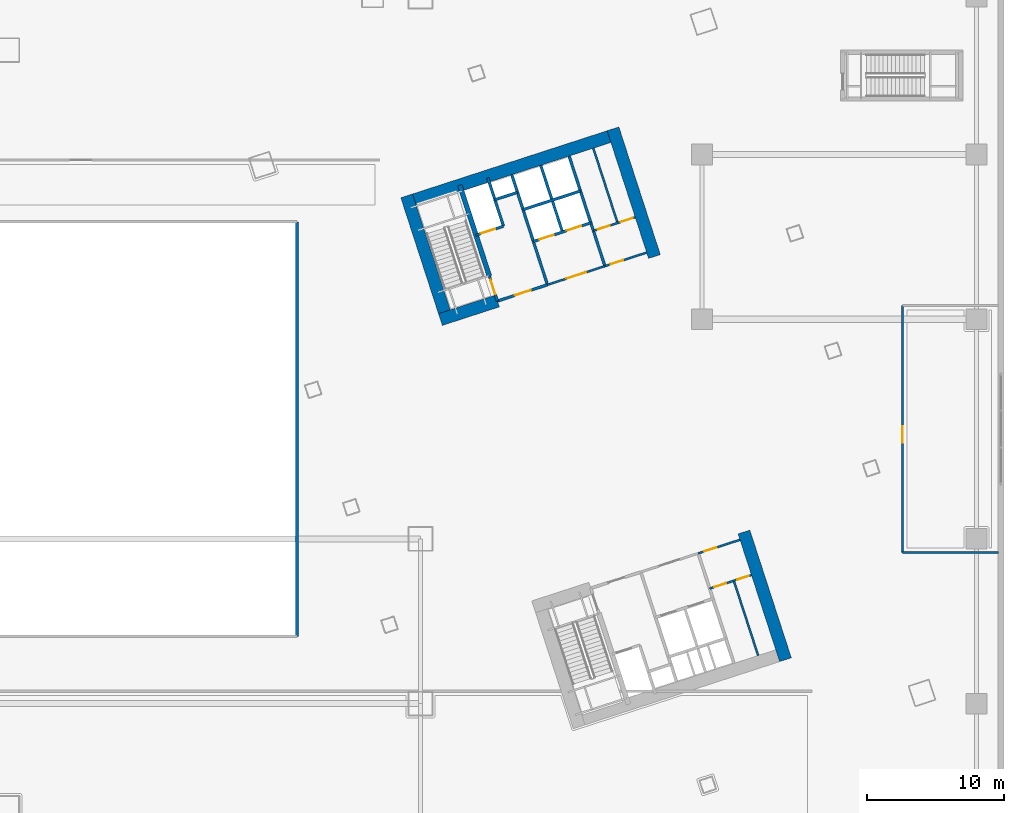
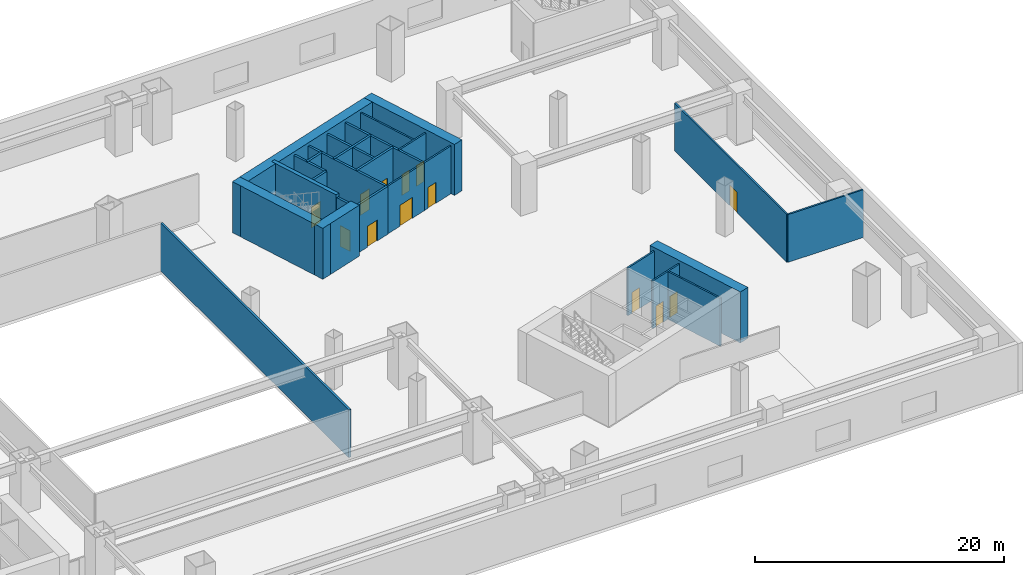
# One storey, part 27 of 35: 26 walls, 13 doors, 13 openings.
"""IFC4 building model written with IfcOpenShell, lengths in metres."""

from ifc_helpers import new_model, si_unit, direction, frame, frame_2d, origin, place, context, subcontext, project, spatial, rectangle, extrude, material, layer, layer_set, type_object, element, fill, save


model = new_model("IFC4")

# Units and contexts
model_context = context("Model", 3, precision=1e-05, world=origin(), true_north=direction((0.0, 1.0)))
body_context = subcontext(model_context, "Body", "Model", "MODEL_VIEW")
ifc_project = project(units=[si_unit("LENGTHUNIT", "METRE"), si_unit("AREAUNIT", "SQUARE_METRE"), si_unit("VOLUMEUNIT", "CUBIC_METRE"), si_unit("PLANEANGLEUNIT", "RADIAN"), si_unit("MASSUNIT", "GRAM", prefix="KILO")], contexts=[model_context])

# Site, building, storey
site_placement = place(None, origin())
site = spatial("IfcSite", under=ifc_project, at=site_placement, CompositionType="ELEMENT")
building_placement = place(site_placement, origin())
building = spatial("IfcBuilding", under=site, at=building_placement, Name="Qiaolan Cultural Towers", CompositionType="ELEMENT")
storey_placement = place(building_placement, frame((0.0, 0.0, 11.5)))
storey = spatial("IfcBuildingStorey", under=building, at=storey_placement, Name="L02", CompositionType="ELEMENT", Elevation=11.5)

# Walls
ifc_material_1 = material(Name="Concrete C50", Category="concrete")
ifc_layer_1 = layer(ifc_material_1, 0.35009765625)
ifc_layer_set_1 = layer_set([ifc_layer_1], Name="Concrete C50")
wall_type_1 = type_object("IfcWallType", Name="WL-CORE-350", PredefinedType="SHEAR", material=ifc_layer_set_1)
wall_1_placement = place(storey_placement, frame((82.513671875, 45.13134765625, 0.0), z_axis=(0.0, 0.0, 1.0), x_axis=(-0.308988790936, 0.951065679686, 0.0)))
element("IfcWall", 1, at=wall_1_placement, inside=storey, type_object=wall_type_1, Name="L02 T2-CN Stair Core Dividing Web", PredefinedType="SHEAR", context=body_context, shape_type="SweptSolid", body=[
    extrude(rectangle(XDim=6.97998046875, YDim=0.35009765625, at=frame_2d((3.489990234375, 0.0))), origin(), (0.0, 0.0, 1.0), 5.0),
])
ifc_material_2 = material(Name="Concrete C60", Category="concrete")
ifc_layer_2 = layer(ifc_material_2, 0.89990234375)
ifc_layer_set_2 = layer_set([ifc_layer_2], Name="Concrete C60")
wall_type_2 = type_object("IfcWallType", Name="WL-CORE-900", PredefinedType="SHEAR", material=ifc_layer_set_2)
wall_2_placement = place(storey_placement, frame((101.058837890625, 26.500244140625, 0.0), z_axis=(0.0, 0.0, 1.0), x_axis=(0.309021722829, -0.951054979914, 0.0)))
element("IfcWall", 2, at=wall_2_placement, inside=storey, type_object=wall_type_2, Name="L02 T2-CS East Core Shear Wall", PredefinedType="SHEAR", context=body_context, shape_type="SweptSolid", body=[
    extrude(rectangle(XDim=9.780029296875, YDim=0.89990234375, at=frame_2d((4.89013671875, 0.0))), origin(), (0.0, 0.0, 1.0), 5.0),
])
wall_3_placement = place(storey_placement, frame((76.20068359375, 50.41943359375, 0.0), z_axis=(0.0, 0.0, 1.0), x_axis=(0.951056412142, 0.309017314926, 0.0)))
element("IfcWall", 3, at=wall_3_placement, inside=storey, type_object=wall_type_2, Name="L02 T2-CN Outer Core Shear Wall", PredefinedType="SHEAR", context=body_context, shape_type="SweptSolid", body=[
    extrude(rectangle(XDim=16.7001953125, YDim=0.89990234375, at=frame_2d((8.35009765625, 0.0))), origin(), (0.0, 0.0, 1.0), 5.0),
])
for number, where, z_axis, x_axis, name in (
    (4, (79.511962890625, 41.68505859375, 0.0), (0.0, 0.0, 1.0), (-0.309021722829, 0.951054979914, 0.0), "L02 T2-CN West Core Shear Wall"),
    (5, (94.53857421875, 46.567626953125, 0.0), (0.0, 0.0, 1.0), (-0.309021722829, 0.951054979914, 0.0), "L02 T2-CN East Core Shear Wall"),
):
    element("IfcWall", number, at=place(storey_placement, frame(where, z_axis=z_axis, x_axis=x_axis)), inside=storey, type_object=wall_type_2, Name=name, PredefinedType="SHEAR", context=body_context, shape_type="SweptSolid", body=[
        extrude(rectangle(XDim=9.780029296875, YDim=0.89990234375, at=frame_2d((4.89013671875, 0.0))), origin(), (0.0, 0.0, 1.0), 5.0),
    ])
wall_4_placement = place(storey_placement, frame((78.94482421875, 41.97412109375, 0.0), z_axis=(0.0, 0.0, 1.0), x_axis=(0.951058289404, 0.309011537255, 0.0)))
element("IfcWall", 6, at=wall_4_placement, inside=storey, type_object=wall_type_2, Name="L02 T2-CN Stair Front Shear Wall", PredefinedType="SHEAR", context=body_context, shape_type="SweptSolid", body=[
    extrude(rectangle(XDim=4.369873046875, YDim=0.89990234375, at=frame_2d((2.18505859375, 0.0))), origin(), (0.0, 0.0, 1.0), 5.0),
])

# Wall, opening, door
ifc_material_3 = material(Name="Concrete C35 Fire Wall", Category="concrete")
ifc_layer_3 = layer(ifc_material_3, 0.199951171875)
ifc_layer_set_3 = layer_set([ifc_layer_3], Name="Concrete C35 Fire Wall")
wall_type_3 = type_object("IfcWallType", Name="WL-FIRE-200", PredefinedType="PARTITIONING", material=ifc_layer_set_3)
wall_5_placement = place(storey_placement, frame((83.100830078125, 43.324462890625, 0.0), z_axis=(0.0, 0.0, 1.0), x_axis=(-0.309048298632, 0.951046344356, 0.0)))
wall_5 = element("IfcWall", 7, at=wall_5_placement, inside=storey, type_object=wall_type_3, Name="L02 T2-CN Smokeproof Stair Entry Wall", PredefinedType="PARTITIONING", context=body_context, shape_type="SweptSolid", body=[
    extrude(rectangle(XDim=1.89990234375, YDim=0.199951171875, at=frame_2d((0.949951171875, 0.0))), origin(), (0.0, 0.0, 1.0), 4.68505859375),
])
opening_1_placement = place(wall_5_placement, frame((0.52001953125, 0.0, 0.0)))
opening_1 = element("IfcOpeningElement", 8, at=opening_1_placement, cuts=wall_5, Name="Opening FD-04", PredefinedType="OPENING", context=body_context, shape_type="SweptSolid", body=[
    extrude(rectangle(XDim=1.10009765625, YDim=2.050048828125, at=frame_2d((0.550048828125, 1.02490234375))), frame((0.0, 0.10986328125, 0.0), z_axis=(0.0, -1.0, 0.0), x_axis=(1.0, 0.0, 0.0)), (0.0, 0.0, 1.0), 0.219970703125),
])
ifc_material_4 = material(Name="Galvanized Steel Command Fire Door", Category="steel")
door_type_1 = type_object("IfcDoorType", Name="DR-FD90-1100", OperationType="NOTDEFINED", PredefinedType="DOOR", material=ifc_material_4)
door_1_placement = place(opening_1_placement, origin())
door_1 = element("IfcDoor", 9, at=door_1_placement, inside=storey, type_object=door_type_1, Name="L02 ST-E2 Smokeproof Stair Fire Door", OperationType="SINGLE_SWING_LEFT", OverallHeight=2.050048828125, OverallWidth=1.10009765625, PredefinedType="DOOR", context=body_context, shape_type="SweptSolid", body=[
    extrude(rectangle(XDim=1.10009765625, YDim=2.050048828125, at=frame_2d((0.550048828125, 1.02490234375))), frame((0.0, 0.02490234375, 0.0), z_axis=(0.0, -1.0, 0.0), x_axis=(1.0, 0.0, 0.0)), (0.0, 0.0, 1.0), 0.050048828125),
])
fill(opening_1, door_1)

# Wall
wall_6_placement = place(storey_placement, frame((86.743408203125, 44.508056640625, 0.0), z_axis=(0.0, 0.0, 1.0), x_axis=(-0.309016001439, 0.951056838919, 0.0)))
element("IfcWall", 10, at=wall_6_placement, inside=storey, type_object=wall_type_3, Name="L02 T2-CN Firefighting Zone Wall", PredefinedType="PARTITIONING", context=body_context, shape_type="SweptSolid", body=[
    extrude(rectangle(XDim=8.429931640625, YDim=0.199951171875, at=frame_2d((4.21484375, 0.0))), origin(), (0.0, 0.0, 1.0), 4.68505859375),
])

# Wall, opening, door
wall_7_placement = place(storey_placement, frame((83.100830078125, 43.324462890625, 0.0), z_axis=(0.0, 0.0, 1.0), x_axis=(0.951052804469, 0.309028417967, 0.0)))
wall_7 = element("IfcWall", 11, at=wall_7_placement, inside=storey, type_object=wall_type_3, Name="L02 T2-CN Firefighting Lobby Front Wall", PredefinedType="PARTITIONING", context=body_context, shape_type="SweptSolid", body=[
    extrude(rectangle(XDim=3.830078125, YDim=0.199951171875, at=frame_2d((1.9150390625, 0.0))), origin(), (0.0, 0.0, 1.0), 4.68505859375),
])
opening_2_placement = place(wall_7_placement, frame((1.35009765625, 0.0, 0.0)))
opening_2 = element("IfcOpeningElement", 12, at=opening_2_placement, cuts=wall_7, Name="Opening FD-03", PredefinedType="OPENING", context=body_context, shape_type="SweptSolid", body=[
    extrude(rectangle(XDim=1.199951171875, YDim=2.050048828125, at=frame_2d((0.60009765625, 1.02490234375))), frame((0.0, 0.10986328125, 0.0), z_axis=(0.0, -1.0, 0.0), x_axis=(1.0, 0.0, 0.0)), (0.0, 0.0, 1.0), 0.219970703125),
])
ifc_material_5 = material(Name="Galvanized Steel Smokeproof Lobby Fire Door", Category="steel")
door_type_2 = type_object("IfcDoorType", Name="DR-FD90-1200", OperationType="NOTDEFINED", PredefinedType="DOOR", material=ifc_material_5)
door_2_placement = place(opening_2_placement, origin())
door_2 = element("IfcDoor", 13, at=door_2_placement, inside=storey, type_object=door_type_2, Name="L02 FFL-E2 Firefighting Lobby Fire Door", OperationType="SINGLE_SWING_LEFT", OverallHeight=2.050048828125, OverallWidth=1.199951171875, PredefinedType="DOOR", context=body_context, shape_type="SweptSolid", body=[
    extrude(rectangle(XDim=1.199951171875, YDim=2.050048828125, at=frame_2d((0.60009765625, 1.02490234375))), frame((0.0, 0.02490234375, 0.0), z_axis=(0.0, -1.0, 0.0), x_axis=(1.0, 0.0, 0.0)), (0.0, 0.0, 1.0), 0.050048828125),
])
fill(opening_2, door_2)

wall_8_placement = place(storey_placement, frame((81.540283203125, 48.127197265625, 0.0), z_axis=(0.0, 0.0, 1.0), x_axis=(0.951062257173, 0.308999325213, 0.0)))
wall_8 = element("IfcWall", 14, at=wall_8_placement, inside=storey, type_object=wall_type_3, Name="L02 T2-CN Firefighting Shaft Front Wall", PredefinedType="PARTITIONING", context=body_context, shape_type="SweptSolid", body=[
    extrude(rectangle(XDim=2.10009765625, YDim=0.199951171875, at=frame_2d((1.050048828125, 0.0))), origin(), (0.0, 0.0, 1.0), 4.68505859375),
])
opening_3_placement = place(wall_8_placement, frame((0.35009765625, 0.0, 0.0)))
opening_3 = element("IfcOpeningElement", 15, at=opening_3_placement, cuts=wall_8, Name="Opening LD-01", PredefinedType="OPENING", context=body_context, shape_type="SweptSolid", body=[
    extrude(rectangle(XDim=1.10009765625, YDim=2.050048828125, at=frame_2d((0.550048828125, 1.02490234375))), frame((0.0, 0.10986328125, 0.0), z_axis=(0.0, -1.0, 0.0), x_axis=(1.0, 0.0, 0.0)), (0.0, 0.0, 1.0), 0.219970703125),
])
ifc_material_6 = material(Name="Brushed Stainless Steel S30408 Centre-Parting Lift Landing Door", Category="steel")
door_type_3 = type_object("IfcDoorType", Name="DR-LIFT-1100", OperationType="NOTDEFINED", PredefinedType="DOOR", material=ifc_material_6)
door_3_placement = place(opening_3_placement, origin())
door_3 = element("IfcDoor", 16, at=door_3_placement, inside=storey, type_object=door_type_3, Name="L02 FFL-E2 Firefighting Lift Landing Door", OperationType="DOUBLE_DOOR_SLIDING", OverallHeight=2.050048828125, OverallWidth=1.10009765625, PredefinedType="DOOR", context=body_context, shape_type="SweptSolid", body=[
    extrude(rectangle(XDim=1.10009765625, YDim=2.050048828125, at=frame_2d((0.550048828125, 1.02490234375))), frame((0.0, 0.02490234375, 0.0), z_axis=(0.0, -1.0, 0.0), x_axis=(1.0, 0.0, 0.0)), (0.0, 0.0, 1.0), 0.050048828125),
])
fill(opening_3, door_3)

# Walls
wall_9_placement = place(storey_placement, frame((83.53759765625, 48.776123046875, 0.0), z_axis=(0.0, 0.0, 1.0), x_axis=(-0.3089935693, 0.951064127245, 0.0)))
element("IfcWall", 17, at=wall_9_placement, inside=storey, type_object=wall_type_3, Name="L02 T2-CN Firefighting Hoistway East Wall", PredefinedType="PARTITIONING", context=body_context, shape_type="SweptSolid", body=[
    extrude(rectangle(XDim=3.7001953125, YDim=0.199951171875, at=frame_2d((1.85009765625, 0.0))), origin(), (0.0, 0.0, 1.0), 4.68505859375),
])
wall_10_placement = place(storey_placement, frame((82.910400390625, 50.706787109375, 0.0), z_axis=(0.0, 0.0, 1.0), x_axis=(0.951041328149, 0.309063734775, 0.0)))
element("IfcWall", 18, at=wall_10_placement, inside=storey, type_object=wall_type_3, Name="L02 T2-CN Pressurization Shaft Front Wall", PredefinedType="PARTITIONING", context=body_context, shape_type="SweptSolid", body=[
    extrude(rectangle(XDim=1.72998046875, YDim=0.199951171875, at=frame_2d((0.864990234375, 0.0))), origin(), (0.0, 0.0, 1.0), 4.68505859375),
])
wall_11_placement = place(storey_placement, frame((90.92822265625, 45.86767578125, 0.0), z_axis=(0.0, 0.0, 1.0), x_axis=(-0.309042196757, 0.951048327176, 0.0)))
element("IfcWall", 19, at=wall_11_placement, inside=storey, type_object=wall_type_3, Name="L02 T2-CN Lift Core East Wall", PredefinedType="PARTITIONING", context=body_context, shape_type="SweptSolid", body=[
    extrude(rectangle(XDim=8.429931640625, YDim=0.199951171875, at=frame_2d((4.21484375, 0.0))), origin(), (0.0, 0.0, 1.0), 4.68505859375),
])

# Wall, openings, doors
wall_12_placement = place(storey_placement, frame((85.717529296875, 47.66552734375, 0.0), z_axis=(0.0, 0.0, 1.0), x_axis=(0.951058531764, 0.30901079133, 0.0)))
wall_12 = element("IfcWall", 20, at=wall_12_placement, inside=storey, type_object=wall_type_3, Name="L02 T2-CN Passenger Lift Shaft Front Wall", PredefinedType="PARTITIONING", context=body_context, shape_type="SweptSolid", body=[
    extrude(rectangle(XDim=4.39990234375, YDim=0.199951171875, at=frame_2d((2.199951171875, 0.0))), origin(), (0.0, 0.0, 1.0), 4.68505859375),
])
opening_4_placement = place(wall_12_placement, frame((0.449951171875, 0.0, 0.0)))
opening_4 = element("IfcOpeningElement", 21, at=opening_4_placement, cuts=wall_12, Name="Opening LD-01", PredefinedType="OPENING", context=body_context, shape_type="SweptSolid", body=[
    extrude(rectangle(XDim=1.10009765625, YDim=2.050048828125, at=frame_2d((0.550048828125, 1.02490234375))), frame((0.0, 0.10986328125, 0.0), z_axis=(0.0, -1.0, 0.0), x_axis=(1.0, 0.0, 0.0)), (0.0, 0.0, 1.0), 0.219970703125),
])
opening_5_placement = place(wall_12_placement, frame((2.550048828125, 0.0, 0.0)))
opening_5 = element("IfcOpeningElement", 22, at=opening_5_placement, cuts=wall_12, Name="Opening LD-01", PredefinedType="OPENING", context=body_context, shape_type="SweptSolid", body=[
    extrude(rectangle(XDim=1.10009765625, YDim=2.050048828125, at=frame_2d((0.550048828125, 1.02490234375))), frame((0.0, 0.10986328125, 0.0), z_axis=(0.0, -1.0, 0.0), x_axis=(1.0, 0.0, 0.0)), (0.0, 0.0, 1.0), 0.219970703125),
])
door_4_placement = place(opening_4_placement, origin())
door_4 = element("IfcDoor", 23, at=door_4_placement, inside=storey, type_object=door_type_3, Name="L02 Passenger Lift 1 Landing Door", OperationType="DOUBLE_DOOR_SLIDING", OverallHeight=2.050048828125, OverallWidth=1.10009765625, PredefinedType="DOOR", context=body_context, shape_type="SweptSolid", body=[
    extrude(rectangle(XDim=1.10009765625, YDim=2.050048828125, at=frame_2d((0.550048828125, 1.02490234375))), frame((0.0, 0.02490234375, 0.0), z_axis=(0.0, -1.0, 0.0), x_axis=(1.0, 0.0, 0.0)), (0.0, 0.0, 1.0), 0.050048828125),
])
fill(opening_4, door_4)
door_5_placement = place(opening_5_placement, origin())
door_5 = element("IfcDoor", 24, at=door_5_placement, inside=storey, type_object=door_type_3, Name="L02 Passenger Lift 2 Landing Door", OperationType="DOUBLE_DOOR_SLIDING", OverallHeight=2.050048828125, OverallWidth=1.10009765625, PredefinedType="DOOR", context=body_context, shape_type="SweptSolid", body=[
    extrude(rectangle(XDim=1.10009765625, YDim=2.050048828125, at=frame_2d((0.550048828125, 1.02490234375))), frame((0.0, 0.02490234375, 0.0), z_axis=(0.0, -1.0, 0.0), x_axis=(1.0, 0.0, 0.0)), (0.0, 0.0, 1.0), 0.050048828125),
])
fill(opening_5, door_5)

# Walls
wall_13_placement = place(storey_placement, frame((87.83837890625, 48.3544921875, 0.0), z_axis=(0.0, 0.0, 1.0), x_axis=(-0.3090093719, 0.951058992953, 0.0)))
element("IfcWall", 25, at=wall_13_placement, inside=storey, type_object=wall_type_3, Name="L02 T2-CN Lift Shaft Divider Wall", PredefinedType="PARTITIONING", context=body_context, shape_type="SweptSolid", body=[
    extrude(rectangle(XDim=5.110107421875, YDim=0.199951171875, at=frame_2d((2.55517578125, 0.0))), origin(), (0.0, 0.0, 1.0), 4.68505859375),
])
wall_14_placement = place(storey_placement, frame((84.966552734375, 49.9765625, 0.0), z_axis=(0.0, 0.0, 1.0), x_axis=(0.951063829732, 0.308994485023, 0.0)))
element("IfcWall", 26, at=wall_14_placement, inside=storey, type_object=wall_type_3, Name="L02 T2-CN Passenger Lift Shaft Back Wall", PredefinedType="PARTITIONING", context=body_context, shape_type="SweptSolid", body=[
    extrude(rectangle(XDim=4.400146484375, YDim=0.199951171875, at=frame_2d((2.2001953125, 0.0))), origin(), (0.0, 0.0, 1.0), 4.68505859375),
])
wall_15_placement = place(storey_placement, frame((68.5, 18.89990234375, 0.0), z_axis=(0.0, 0.0, 1.0), x_axis=(0.0, 1.0, 0.0)))
element("IfcWall", 27, at=wall_15_placement, inside=storey, type_object=wall_type_3, Name="L02 Podium Partition L02-AUDE", PredefinedType="PARTITIONING", context=body_context, shape_type="SweptSolid", body=[
    extrude(rectangle(XDim=30.2001953125, YDim=0.199951171875, at=frame_2d((15.10009765625, 0.0))), origin(), (0.0, 0.0, 1.0), 4.68505859375),
])

# Wall, opening, door
ifc_material_7 = material(Name="Autoclaved Aerated Concrete Block B06", Category="concrete")
ifc_layer_4 = layer(ifc_material_7, 0.14990234375)
ifc_layer_set_4 = layer_set([ifc_layer_4], Name="Autoclaved Aerated Concrete Block B06")
wall_type_4 = type_object("IfcWallType", Name="WL-PART-150", PredefinedType="PARTITIONING", material=ifc_layer_set_4)
wall_16_placement = place(storey_placement, frame((97.7265625, 24.9443359375, 0.0), z_axis=(0.0, 0.0, 1.0), x_axis=(0.951036872128, 0.309077446369, 0.0)))
wall_16 = element("IfcWall", 28, at=wall_16_placement, inside=storey, type_object=wall_type_4, Name="L02 T2-CS Sanitary Core Front Wall", PredefinedType="PARTITIONING", context=body_context, shape_type="SweptSolid", body=[
    extrude(rectangle(XDim=3.199951171875, YDim=0.14990234375, at=frame_2d((1.60009765625, 0.0))), origin(), (0.0, 0.0, 1.0), 4.68505859375),
])
opening_6_placement = place(wall_16_placement, frame((0.449951171875, 0.0, 0.0)))
opening_6 = element("IfcOpeningElement", 29, at=opening_6_placement, cuts=wall_16, Name="Opening ID-05", PredefinedType="OPENING", context=body_context, shape_type="SweptSolid", body=[
    extrude(rectangle(XDim=0.949951171875, YDim=2.050048828125, at=frame_2d((0.47509765625, 1.02490234375))), frame((0.0, 0.0849609375, 0.0), z_axis=(0.0, -1.0, 0.0), x_axis=(1.0, 0.0, 0.0)), (0.0, 0.0, 1.0), 0.169921875),
])
ifc_material_8 = material(Name="Fire-Rated Laminate Accessible Core Door", Category="timber")
door_type_4 = type_object("IfcDoorType", Name="DR-INT-950", OperationType="NOTDEFINED", PredefinedType="DOOR", material=ifc_material_8)
door_6_placement = place(opening_6_placement, origin())
door_6 = element("IfcDoor", 30, at=door_6_placement, inside=storey, type_object=door_type_4, Name="L02 Sanitary Vestibule Door", OperationType="SINGLE_SWING_LEFT", OverallHeight=2.050048828125, OverallWidth=0.949951171875, PredefinedType="DOOR", context=body_context, shape_type="SweptSolid", body=[
    extrude(rectangle(XDim=0.949951171875, YDim=2.050048828125, at=frame_2d((0.47509765625, 1.02490234375))), frame((0.0, 0.02490234375, 0.0), z_axis=(0.0, -1.0, 0.0), x_axis=(1.0, 0.0, 0.0)), (0.0, 0.0, 1.0), 0.050048828125),
])
fill(opening_6, door_6)

# Wall, openings, doors
wall_17_placement = place(storey_placement, frame((98.560791015625, 22.37646484375, 0.0), z_axis=(0.0, 0.0, 1.0), x_axis=(0.95104415986, 0.309055020985, 0.0)))
wall_17 = element("IfcWall", 31, at=wall_17_placement, inside=storey, type_object=wall_type_4, Name="L02 T2-CS Restroom Vestibule Wall", PredefinedType="PARTITIONING", context=body_context, shape_type="SweptSolid", body=[
    extrude(rectangle(XDim=3.2001953125, YDim=0.14990234375, at=frame_2d((1.60009765625, 0.0))), origin(), (0.0, 0.0, 1.0), 4.68505859375),
])
opening_7_placement = place(wall_17_placement, frame((0.35009765625, 0.0, 0.0)))
opening_7 = element("IfcOpeningElement", 32, at=opening_7_placement, cuts=wall_17, Name="Opening ID-06", PredefinedType="OPENING", context=body_context, shape_type="SweptSolid", body=[
    extrude(rectangle(XDim=0.89990234375, YDim=2.050048828125, at=frame_2d((0.449951171875, 1.02490234375))), frame((0.0, 0.0849609375, 0.0), z_axis=(0.0, -1.0, 0.0), x_axis=(1.0, 0.0, 0.0)), (0.0, 0.0, 1.0), 0.169921875),
])
opening_8_placement = place(wall_17_placement, frame((2.10009765625, 0.0, 0.0)))
opening_8 = element("IfcOpeningElement", 33, at=opening_8_placement, cuts=wall_17, Name="Opening ID-06", PredefinedType="OPENING", context=body_context, shape_type="SweptSolid", body=[
    extrude(rectangle(XDim=0.89990234375, YDim=2.050048828125, at=frame_2d((0.449951171875, 1.02490234375))), frame((0.0, 0.0849609375, 0.0), z_axis=(0.0, -1.0, 0.0), x_axis=(1.0, 0.0, 0.0)), (0.0, 0.0, 1.0), 0.169921875),
])
ifc_material_9 = material(Name="Fire-Rated Laminate Core Service Door", Category="timber")
door_type_5 = type_object("IfcDoorType", Name="DR-INT-900", OperationType="NOTDEFINED", PredefinedType="DOOR", material=ifc_material_9)
door_7_placement = place(opening_7_placement, origin())
door_7 = element("IfcDoor", 34, at=door_7_placement, inside=storey, type_object=door_type_5, Name="L02 Men Restroom Door", OperationType="SINGLE_SWING_LEFT", OverallHeight=2.050048828125, OverallWidth=0.89990234375, PredefinedType="DOOR", context=body_context, shape_type="SweptSolid", body=[
    extrude(rectangle(XDim=0.89990234375, YDim=2.050048828125, at=frame_2d((0.449951171875, 1.02490234375))), frame((0.0, 0.02490234375, 0.0), z_axis=(0.0, -1.0, 0.0), x_axis=(1.0, 0.0, 0.0)), (0.0, 0.0, 1.0), 0.050048828125),
])
fill(opening_7, door_7)
door_8_placement = place(opening_8_placement, origin())
door_8 = element("IfcDoor", 35, at=door_8_placement, inside=storey, type_object=door_type_5, Name="L02 Accessible & Women Restroom Door", OperationType="SINGLE_SWING_RIGHT", OverallHeight=2.050048828125, OverallWidth=0.89990234375, PredefinedType="DOOR", context=body_context, shape_type="SweptSolid", body=[
    extrude(rectangle(XDim=0.89990234375, YDim=2.050048828125, at=frame_2d((0.449951171875, 1.02490234375))), frame((0.0, 0.02490234375, 0.0), z_axis=(0.0, -1.0, 0.0), x_axis=(1.0, 0.0, 0.0)), (0.0, 0.0, 1.0), 0.050048828125),
])
fill(opening_8, door_8)

# Wall
wall_18_placement = place(storey_placement, frame((100.3203125, 22.9482421875, 0.0), z_axis=(0.0, 0.0, 1.0), x_axis=(0.309035009867, -0.951050662518, 0.0)))
element("IfcWall", 36, at=wall_18_placement, inside=storey, type_object=wall_type_4, Name="L02 T2-CS Restroom Divider Wall", PredefinedType="PARTITIONING", context=body_context, shape_type="SweptSolid", body=[
    extrude(rectangle(XDim=5.72998046875, YDim=0.14990234375, at=frame_2d((2.864990234375, 0.0))), origin(), (0.0, 0.0, 1.0), 4.68505859375),
])

# Wall, opening, door
wall_19_placement = place(storey_placement, frame((86.743408203125, 44.508056640625, 0.0), z_axis=(0.0, 0.0, 1.0), x_axis=(0.951063829732, 0.308994485023, 0.0)))
wall_19 = element("IfcWall", 37, at=wall_19_placement, inside=storey, type_object=wall_type_4, Name="L02 T2-CN Passenger Lift Lobby Front Wall", PredefinedType="PARTITIONING", context=body_context, shape_type="SweptSolid", body=[
    extrude(rectangle(XDim=4.400146484375, YDim=0.14990234375, at=frame_2d((2.2001953125, 0.0))), origin(), (0.0, 0.0, 1.0), 4.68505859375),
])
opening_9_placement = place(wall_19_placement, frame((1.449951171875, 0.0, 0.0)))
opening_9 = element("IfcOpeningElement", 38, at=opening_9_placement, cuts=wall_19, Name="Opening FD-05", PredefinedType="OPENING", context=body_context, shape_type="SweptSolid", body=[
    extrude(rectangle(XDim=1.5, YDim=2.050048828125, at=frame_2d((0.75, 1.02490234375))), frame((0.0, 0.0849609375, 0.0), z_axis=(0.0, -1.0, 0.0), x_axis=(1.0, 0.0, 0.0)), (0.0, 0.0, 1.0), 0.169921875),
])
ifc_material_10 = material(Name="Painted Steel Lift Lobby Fire Door", Category="steel")
door_type_6 = type_object("IfcDoorType", Name="DR-FD60-1500", OperationType="NOTDEFINED", PredefinedType="DOOR", material=ifc_material_10)
door_9_placement = place(opening_9_placement, origin())
door_9 = element("IfcDoor", 39, at=door_9_placement, inside=storey, type_object=door_type_6, Name="L02 Passenger Lift Lobby Entrance", OperationType="SINGLE_SWING_LEFT", OverallHeight=2.050048828125, OverallWidth=1.5, PredefinedType="DOOR", context=body_context, shape_type="SweptSolid", body=[
    extrude(rectangle(XDim=1.5, YDim=2.050048828125, at=frame_2d((0.75, 1.02490234375))), frame((0.0, 0.02490234375, 0.0), z_axis=(0.0, -1.0, 0.0), x_axis=(1.0, 0.0, 0.0)), (0.0, 0.0, 1.0), 0.050048828125),
])
fill(opening_9, door_9)

wall_20_placement = place(storey_placement, frame((90.92822265625, 45.86767578125, 0.0), z_axis=(0.0, 0.0, 1.0), x_axis=(0.951059297078, 0.309008435874, 0.0)))
wall_20 = element("IfcWall", 40, at=wall_20_placement, inside=storey, type_object=wall_type_4, Name="L02 T2-CN Sanitary Core Front Wall", PredefinedType="PARTITIONING", context=body_context, shape_type="SweptSolid", body=[
    extrude(rectangle(XDim=3.19970703125, YDim=0.14990234375, at=frame_2d((1.599853515625, 0.0))), origin(), (0.0, 0.0, 1.0), 4.68505859375),
])
opening_10_placement = place(wall_20_placement, frame((0.449951171875, 0.0, 0.0)))
opening_10 = element("IfcOpeningElement", 41, at=opening_10_placement, cuts=wall_20, Name="Opening ID-05", PredefinedType="OPENING", context=body_context, shape_type="SweptSolid", body=[
    extrude(rectangle(XDim=0.949951171875, YDim=2.050048828125, at=frame_2d((0.47509765625, 1.02490234375))), frame((0.0, 0.0849609375, 0.0), z_axis=(0.0, -1.0, 0.0), x_axis=(1.0, 0.0, 0.0)), (0.0, 0.0, 1.0), 0.169921875),
])
door_10_placement = place(opening_10_placement, origin())
door_10 = element("IfcDoor", 42, at=door_10_placement, inside=storey, type_object=door_type_4, Name="L02 Sanitary Vestibule Door", OperationType="SINGLE_SWING_LEFT", OverallHeight=2.050048828125, OverallWidth=0.949951171875, PredefinedType="DOOR", context=body_context, shape_type="SweptSolid", body=[
    extrude(rectangle(XDim=0.949951171875, YDim=2.050048828125, at=frame_2d((0.47509765625, 1.02490234375))), frame((0.0, 0.02490234375, 0.0), z_axis=(0.0, -1.0, 0.0), x_axis=(1.0, 0.0, 0.0)), (0.0, 0.0, 1.0), 0.050048828125),
])
fill(opening_10, door_10)

# Wall, openings, doors
wall_21_placement = place(storey_placement, frame((90.09375, 48.435546875, 0.0), z_axis=(0.0, 0.0, 1.0), x_axis=(0.951066581729, 0.308986014439, 0.0)))
wall_21 = element("IfcWall", 43, at=wall_21_placement, inside=storey, type_object=wall_type_4, Name="L02 T2-CN Restroom Vestibule Wall", PredefinedType="PARTITIONING", context=body_context, shape_type="SweptSolid", body=[
    extrude(rectangle(XDim=3.199951171875, YDim=0.14990234375, at=frame_2d((1.60009765625, 0.0))), origin(), (0.0, 0.0, 1.0), 4.68505859375),
])
opening_11_placement = place(wall_21_placement, frame((0.35009765625, 0.0, 0.0)))
opening_11 = element("IfcOpeningElement", 44, at=opening_11_placement, cuts=wall_21, Name="Opening ID-06", PredefinedType="OPENING", context=body_context, shape_type="SweptSolid", body=[
    extrude(rectangle(XDim=0.89990234375, YDim=2.050048828125, at=frame_2d((0.449951171875, 1.02490234375))), frame((0.0, 0.0849609375, 0.0), z_axis=(0.0, -1.0, 0.0), x_axis=(1.0, 0.0, 0.0)), (0.0, 0.0, 1.0), 0.169921875),
])
opening_12_placement = place(wall_21_placement, frame((2.10009765625, 0.0, 0.0)))
opening_12 = element("IfcOpeningElement", 45, at=opening_12_placement, cuts=wall_21, Name="Opening ID-06", PredefinedType="OPENING", context=body_context, shape_type="SweptSolid", body=[
    extrude(rectangle(XDim=0.89990234375, YDim=2.050048828125, at=frame_2d((0.449951171875, 1.02490234375))), frame((0.0, 0.0849609375, 0.0), z_axis=(0.0, -1.0, 0.0), x_axis=(1.0, 0.0, 0.0)), (0.0, 0.0, 1.0), 0.169921875),
])
door_11_placement = place(opening_11_placement, origin())
door_11 = element("IfcDoor", 46, at=door_11_placement, inside=storey, type_object=door_type_5, Name="L02 Men Restroom Door", OperationType="SINGLE_SWING_LEFT", OverallHeight=2.050048828125, OverallWidth=0.89990234375, PredefinedType="DOOR", context=body_context, shape_type="SweptSolid", body=[
    extrude(rectangle(XDim=0.89990234375, YDim=2.050048828125, at=frame_2d((0.449951171875, 1.02490234375))), frame((0.0, 0.02490234375, 0.0), z_axis=(0.0, -1.0, 0.0), x_axis=(1.0, 0.0, 0.0)), (0.0, 0.0, 1.0), 0.050048828125),
])
fill(opening_11, door_11)
door_12_placement = place(opening_12_placement, origin())
door_12 = element("IfcDoor", 47, at=door_12_placement, inside=storey, type_object=door_type_5, Name="L02 Accessible & Women Restroom Door", OperationType="SINGLE_SWING_RIGHT", OverallHeight=2.050048828125, OverallWidth=0.89990234375, PredefinedType="DOOR", context=body_context, shape_type="SweptSolid", body=[
    extrude(rectangle(XDim=0.89990234375, YDim=2.050048828125, at=frame_2d((0.449951171875, 1.02490234375))), frame((0.0, 0.02490234375, 0.0), z_axis=(0.0, -1.0, 0.0), x_axis=(1.0, 0.0, 0.0)), (0.0, 0.0, 1.0), 0.050048828125),
])
fill(opening_12, door_12)

# Wall
wall_22_placement = place(storey_placement, frame((91.853271484375, 49.007080078125, 0.0), z_axis=(0.0, 0.0, 1.0), x_axis=(-0.309022487551, 0.951054731437, 0.0)))
element("IfcWall", 48, at=wall_22_placement, inside=storey, type_object=wall_type_4, Name="L02 T2-CN Restroom Divider Wall", PredefinedType="PARTITIONING", context=body_context, shape_type="SweptSolid", body=[
    extrude(rectangle(XDim=5.730224609375, YDim=0.14990234375, at=frame_2d((2.865234375, 0.0))), origin(), (0.0, 0.0, 1.0), 4.68505859375),
])

# Wall, opening, door
wall_23_placement = place(storey_placement, frame((112.60009765625, 25.0, 0.0), z_axis=(0.0, 0.0, 1.0), x_axis=(0.0, 1.0, 0.0)))
wall_23 = element("IfcWall", 49, at=wall_23_placement, inside=storey, type_object=wall_type_4, Name="L02 Podium Partition L02-E1", PredefinedType="PARTITIONING", context=body_context, shape_type="SweptSolid", body=[
    extrude(rectangle(XDim=18.0, YDim=0.14990234375, at=frame_2d((9.0, 0.0))), origin(), (0.0, 0.0, 1.0), 4.68505859375),
])
opening_13_placement = place(wall_23_placement, frame((8.0, 0.0, 0.0)))
opening_13 = element("IfcOpeningElement", 50, at=opening_13_placement, cuts=wall_23, Name="Opening ID-02", PredefinedType="OPENING", context=body_context, shape_type="SweptSolid", body=[
    extrude(rectangle(XDim=1.199951171875, YDim=2.050048828125, at=frame_2d((0.60009765625, 1.02490234375))), frame((0.0, 0.0849609375, 0.0), z_axis=(0.0, -1.0, 0.0), x_axis=(1.0, 0.0, 0.0)), (0.0, 0.0, 1.0), 0.169921875),
])
ifc_material_11 = material(Name="Oak Veneer Solid-Core Gallery Door", Category="timber")
door_type_7 = type_object("IfcDoorType", Name="DR-INT-1200", OperationType="NOTDEFINED", PredefinedType="DOOR", material=ifc_material_11)
door_13_placement = place(opening_13_placement, origin())
door_13 = element("IfcDoor", 51, at=door_13_placement, inside=storey, type_object=door_type_7, Name="L02 Curatorial Administration Office Door", OperationType="SINGLE_SWING_RIGHT", OverallHeight=2.050048828125, OverallWidth=1.199951171875, PredefinedType="DOOR", context=body_context, shape_type="SweptSolid", body=[
    extrude(rectangle(XDim=1.199951171875, YDim=2.050048828125, at=frame_2d((0.60009765625, 1.02490234375))), frame((0.0, 0.02490234375, 0.0), z_axis=(0.0, -1.0, 0.0), x_axis=(1.0, 0.0, 0.0)), (0.0, 0.0, 1.0), 0.050048828125),
])
fill(opening_13, door_13)

# Wall
wall_24_placement = place(storey_placement, frame((112.60009765625, 25.0, 0.0), z_axis=(0.0, 0.0, 1.0), x_axis=(1.0, 0.0, 0.0)))
element("IfcWall", 52, at=wall_24_placement, inside=storey, type_object=wall_type_4, Name="L02 Podium Partition L02-ES", PredefinedType="PARTITIONING", context=body_context, shape_type="SweptSolid", body=[
    extrude(rectangle(XDim=7.0, YDim=0.14990234375, at=frame_2d((3.5, 0.0))), origin(), (0.0, 0.0, 1.0), 4.68505859375),
])

save(model, "model.ifc")
